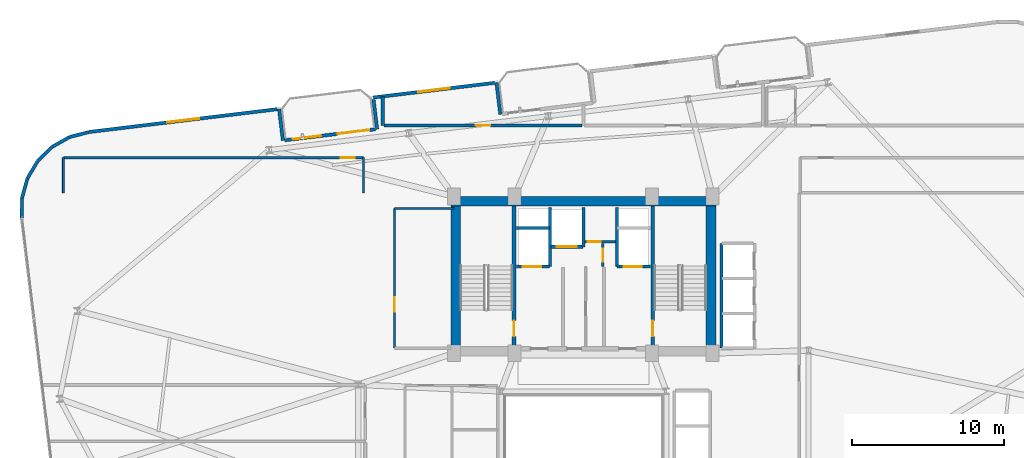
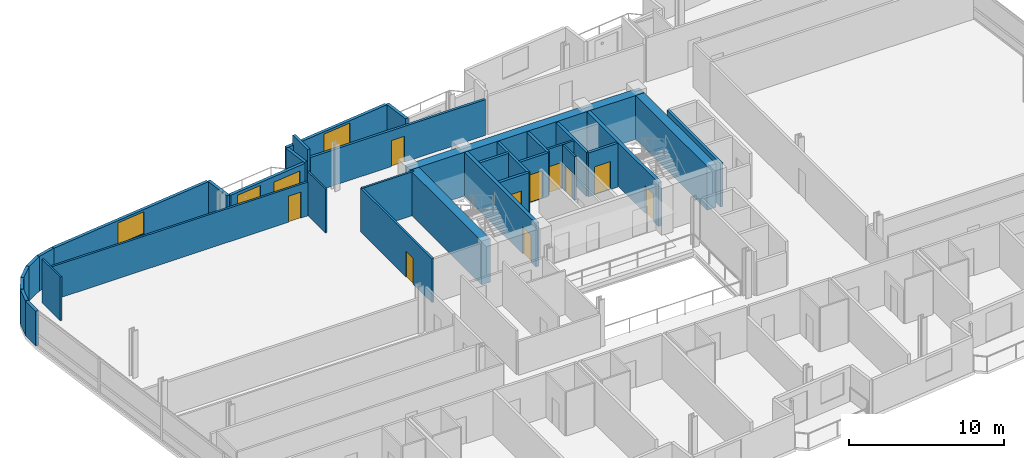
# One storey, part 17 of 23: 34 walls, 11 doors, 3 windows, 14 openings.
"""IFC4 building model written with IfcOpenShell, lengths in metres."""

import ifcopenshell
import ifcopenshell.guid

model = None  # the IFC model being written
_history = None  # IfcOwnerHistory: only IFC2X3 demands one
_inside = {}  # id of a spatial element -> (the spatial element, [elements in it])
_under = {}  # id of a project, library or spatial element -> (it, [spatial elements below it])
_declared = {}  # id of a project -> (the project, [libraries it declares])
_typed = {}  # id of a type object -> (the type object, [elements of that type])
_made_of = {}  # id of a material, layer set ... -> (it, [elements and type objects made of it])


def new_model(schema):
    """Start an empty IFC model of exactly this schema.

    Asked for "IFC4X3", IfcOpenShell would pick the latest addendum, in which some entities
    have other attributes; the version numbers below select the first issue.
    IFC2X3 requires an IfcOwnerHistory on every rooted entity: one is made here for all.
    """
    global model, _history
    if schema == "IFC4X3":
        model = ifcopenshell.file(schema_version=(4, 3, 0, 0))
    else:
        model = ifcopenshell.file(schema=schema)
    _inside.clear()
    _under.clear()
    _declared.clear()
    _typed.clear()
    _made_of.clear()
    _history = None
    if model.schema == "IFC2X3":
        org = make("IfcOrganization", Name="unknown")
        user = make(
            "IfcPersonAndOrganization",
            ThePerson=make("IfcPerson", FamilyName="unknown"),
            TheOrganization=org,
        )
        app = make(
            "IfcApplication",
            ApplicationDeveloper=org,
            Version="unknown",
            ApplicationFullName="unknown",
            ApplicationIdentifier="unknown",
        )
        _history = make(
            "IfcOwnerHistory",
            OwningUser=user,
            OwningApplication=app,
            ChangeAction="ADDED",
            CreationDate=0,
        )
    return model


def make(cls, **values):
    """One entity of the class cls with the attributes given. An attribute that is None is left unset."""
    return model.create_entity(
        cls, **{name: value for name, value in values.items() if value is not None}
    )


def rooted(cls, **values):
    """An entity with a GlobalId (a new one), such as an element, a storey or a relation."""
    return make(cls, GlobalId=ifcopenshell.guid.new(), OwnerHistory=_history, **values)


def si_unit(unit_type, name, prefix=None):
    """IfcSIUnit, for example si_unit("LENGTHUNIT", "METRE", prefix="MILLI")."""
    return make("IfcSIUnit", UnitType=unit_type, Prefix=prefix, Name=name)


def assignment(units):
    """IfcUnitAssignment: the units of a project."""
    return None if units is None else make("IfcUnitAssignment", Units=units)


def point(xyz):
    """IfcCartesianPoint."""
    return None if xyz is None else make("IfcCartesianPoint", Coordinates=xyz)


def direction(xyz):
    """IfcDirection."""
    return None if xyz is None else make("IfcDirection", DirectionRatios=xyz)


def frame(location, z_axis=None, x_axis=None):
    """IfcAxis2Placement3D, a coordinate frame: its origin and axes. An axis left out is left unset."""
    return make(
        "IfcAxis2Placement3D",
        Location=point(location),
        Axis=direction(z_axis),
        RefDirection=direction(x_axis),
    )


def frame_2d(location, x_axis=None):
    """IfcAxis2Placement2D, a coordinate frame in the plane: its origin and x axis."""
    return make(
        "IfcAxis2Placement2D", Location=point(location), RefDirection=direction(x_axis)
    )


def origin():
    """The frame at (0, 0, 0) with its axes left unset."""
    return frame((0.0, 0.0, 0.0))


def place(relative_to, where):
    """IfcLocalPlacement: puts the frame where relative to a parent placement (None: the world)."""
    return make(
        "IfcLocalPlacement", PlacementRelTo=relative_to, RelativePlacement=where
    )


def context(
    kind, dimensions, precision=None, world=None, true_north=None, identifier=None
):
    """IfcGeometricRepresentationContext, for example the 3D "Model" context."""
    return make(
        "IfcGeometricRepresentationContext",
        ContextIdentifier=identifier,
        ContextType=kind,
        CoordinateSpaceDimension=dimensions,
        Precision=precision,
        WorldCoordinateSystem=world,
        TrueNorth=true_north,
    )


def subcontext(parent, identifier, kind, view, scale=None):
    """IfcGeometricRepresentationSubContext, for example "Body" below "Model"."""
    return make(
        "IfcGeometricRepresentationSubContext",
        ContextIdentifier=identifier,
        ContextType=kind,
        ParentContext=parent,
        TargetScale=scale,
        TargetView=view,
    )


def project(units=None, contexts=None):
    """IfcProject with its units and contexts."""
    return rooted(
        "IfcProject",
        Name="project",
        RepresentationContexts=contexts,
        UnitsInContext=assignment(units),
    )


def spatial(cls, under=None, at=None, **own):
    """A site, building, storey or space (cls), placed at a placement, below another one or the project."""
    s = rooted(cls, ObjectPlacement=at, **own)
    if under is not None:
        _under.setdefault(under.id(), (under, []))[1].append(s)
    return s


def profile(cls, at=None, kind="AREA", **sizes):
    """A parametric profile (cls). Its sizes go by their IFC names, for example OverallWidth=200.0."""
    return make(cls, ProfileType=kind, Position=at, **sizes)


def rectangle(**sizes):
    """IfcRectangleProfileDef."""
    return profile("IfcRectangleProfileDef", **sizes)


def extrude(swept, where, along, depth):
    """IfcExtrudedAreaSolid: the profile swept, set in the frame where, extruded along a direction by depth."""
    return make(
        "IfcExtrudedAreaSolid",
        SweptArea=swept,
        Position=where,
        ExtrudedDirection=direction(along),
        Depth=depth,
    )


def shape(context_of_items, identifier, shape_type, items):
    """IfcShapeRepresentation: the items that make up one representation, for example the "Body"."""
    return make(
        "IfcShapeRepresentation",
        ContextOfItems=context_of_items,
        RepresentationIdentifier=identifier,
        RepresentationType=shape_type,
        Items=items,
    )


def material(Name=None, Category=None):
    """IfcMaterial."""
    return make("IfcMaterial", Name=Name, Category=Category)


def layer(
    of_material, thickness, ventilated=None, Name=None, Category=None, Priority=None
):
    """IfcMaterialLayer: one layer of a wall or slab, of a material (None: an air gap)."""
    return make(
        "IfcMaterialLayer",
        Material=of_material,
        LayerThickness=thickness,
        IsVentilated=ventilated,
        Name=Name,
        Category=Category,
        Priority=Priority,
    )


def layer_set(layers, Name=None):
    """IfcMaterialLayerSet."""
    return make("IfcMaterialLayerSet", MaterialLayers=layers, LayerSetName=Name)


def made_of(thing, what):
    """Note that an element or type object is made of a material, layer set ...; save() writes the relation."""
    if what is not None:
        _made_of.setdefault(what.id(), (what, []))[1].append(thing)
    return thing


def type_object(cls, material=None, **own):
    """A type object (cls), such as IfcWallType, which elements share."""
    return made_of(rooted(cls, **own), material)


def element(
    cls,
    number,
    at=None,
    inside=None,
    cuts=None,
    type_object=None,
    material=None,
    context=None,
    identifier="Body",
    shape_type=None,
    held_by="IfcProductDefinitionShape",
    body=None,
    shapes=None,
    **own,
):
    """One element of the class cls, such as IfcWall. Its Tag is "e" and its number.

    at: its placement. inside: the storey or other place that contains it. cuts: it is an
    opening in that element (IfcRelVoidsElement). A single representation is given by context,
    identifier, shape_type and body (its items); several are given by shapes. held_by: the class
    of the entity that holds the representations. save() writes the other relations.
    """
    e = rooted(cls, Tag="e%d" % number, ObjectPlacement=at, **own)
    if body is not None:
        shapes = [shape(context, identifier, shape_type, body)]
    if shapes is not None:
        e.Representation = make(held_by, Representations=shapes)
    if inside is not None:
        _inside.setdefault(inside.id(), (inside, []))[1].append(e)
    if cuts is not None:
        rooted(
            "IfcRelVoidsElement", RelatingBuildingElement=cuts, RelatedOpeningElement=e
        )
    if type_object is not None:
        _typed.setdefault(type_object.id(), (type_object, []))[1].append(e)
    return made_of(e, material)


def fill(opening, filler):
    """IfcRelFillsElement: the door or window that sits in an opening."""
    return rooted(
        "IfcRelFillsElement",
        RelatingOpeningElement=opening,
        RelatedBuildingElement=filler,
    )


def aggregate(whole, parts):
    """IfcRelAggregates: a whole, such as a stair, and the parts it consists of."""
    return rooted("IfcRelAggregates", RelatingObject=whole, RelatedObjects=parts)


def save(model, path):
    """Write the relations noted so far, then the file.

    IfcRelAggregates (storeys below a building ...), IfcRelContainedInSpatialStructure (elements
    in a storey), IfcRelDefinesByType, IfcRelAssociatesMaterial and IfcRelDeclares: one each for
    every whole, place, type object, material and project.
    """
    for whole, parts in _under.values():
        aggregate(whole, parts)
    for where, things in _inside.values():
        rooted(
            "IfcRelContainedInSpatialStructure",
            RelatedElements=things,
            RelatingStructure=where,
        )
    for kind, things in _typed.values():
        rooted("IfcRelDefinesByType", RelatedObjects=things, RelatingType=kind)
    for what, things in _made_of.values():
        rooted("IfcRelAssociatesMaterial", RelatedObjects=things, RelatingMaterial=what)
    for by, libraries in _declared.values():
        rooted("IfcRelDeclares", RelatingContext=by, RelatedDefinitions=libraries)
    model.write(path)


model = new_model("IFC4")

# Units and contexts
model_context = context("Model", 3, precision=1e-05, world=origin(), true_north=direction((0.0, 1.0)))
body_context = subcontext(model_context, "Body", "Model", "MODEL_VIEW")
ifc_project = project(units=[si_unit("LENGTHUNIT", "METRE"), si_unit("AREAUNIT", "SQUARE_METRE"), si_unit("VOLUMEUNIT", "CUBIC_METRE"), si_unit("PLANEANGLEUNIT", "RADIAN"), si_unit("MASSUNIT", "GRAM", prefix="KILO")], contexts=[model_context])

# Site, building, storey
site_placement = place(None, origin())
site = spatial("IfcSite", under=ifc_project, at=site_placement, CompositionType="ELEMENT")
building_placement = place(site_placement, origin())
building = spatial("IfcBuilding", under=site, at=building_placement, Name="Varnelok Gate Tower", CompositionType="ELEMENT")
storey_placement = place(building_placement, frame((0.0, 0.0, 200.5)))
storey = spatial("IfcBuildingStorey", under=building, at=storey_placement, Name="L51", CompositionType="ELEMENT", Elevation=200.5)

# Wall, openings, door, window
ifc_material_1 = material(Name="Concrete C45/55", Category="concrete")
ifc_layer_1 = layer(ifc_material_1, 0.219970703125)
ifc_layer_set_1 = layer_set([ifc_layer_1], Name="Concrete C45/55")
wall_type_1 = type_object("IfcWallType", Name="EW-BALC-220", PredefinedType="SOLIDWALL", material=ifc_layer_set_1)
wall_1_placement = place(storey_placement, frame((19.556884765625, 42.7529296875, 0.0), z_axis=(0.0, 0.0, 1.0), x_axis=(0.992729951822, 0.120362962556, 0.0)))
wall_1 = element("IfcWall", 1, at=wall_1_placement, inside=storey, type_object=wall_type_1, Name="L51 North Terrace Envelope Wall 4", PredefinedType="SOLIDWALL", context=body_context, shape_type="SweptSolid", body=[
    extrude(rectangle(XDim=6.0, YDim=0.219970703125, at=frame_2d((3.0, 0.0))), origin(), (0.0, 0.0, 1.0), 2.72998046875),
])
opening_1_placement = place(wall_1_placement, frame((3.5, 0.0, 0.0)))
opening_1 = element("IfcOpeningElement", 2, at=opening_1_placement, cuts=wall_1, Name="Opening BD-2", PredefinedType="OPENING", context=body_context, shape_type="SweptSolid", body=[
    extrude(rectangle(XDim=2.10009765625, YDim=2.300048828125, at=frame_2d((1.050048828125, 1.14990234375))), frame((0.0, 0.119873046875, 0.0), z_axis=(0.0, -1.0, 0.0), x_axis=(1.0, 0.0, 0.0)), (0.0, 0.0, 1.0), 0.239990234375),
])
opening_2_placement = place(wall_1_placement, frame((0.550048828125, 0.0, 0.75)))
opening_2 = element("IfcOpeningElement", 3, at=opening_2_placement, cuts=wall_1, Name="Opening WN5", PredefinedType="OPENING", context=body_context, shape_type="SweptSolid", body=[
    extrude(rectangle(XDim=1.85009765625, YDim=1.75, at=frame_2d((0.925048828125, 0.875))), frame((0.0, 0.119873046875, 0.0), z_axis=(0.0, -1.0, 0.0), x_axis=(1.0, 0.0, 0.0)), (0.0, 0.0, 1.0), 0.239990234375),
])
ifc_material_2 = material(Name="Anodized Aluminum Alloy 6063-T6", Category="aluminium")
door_type_1 = type_object("IfcDoorType", Name="DR-EXT-SLID2100", OperationType="SLIDING_TO_LEFT", PredefinedType="DOOR", material=ifc_material_2)
door_1_placement = place(opening_1_placement, origin())
door_1 = element("IfcDoor", 4, at=door_1_placement, inside=storey, type_object=door_type_1, Name="L51 North Balcony Glazed Door 4", OperationType="SLIDING_TO_LEFT", OverallHeight=2.300048828125, OverallWidth=2.10009765625, PredefinedType="DOOR", context=body_context, shape_type="SweptSolid", body=[
    extrude(rectangle(XDim=2.10009765625, YDim=2.300048828125, at=frame_2d((1.050048828125, 1.14990234375))), frame((0.0, 0.02490234375, 0.0), z_axis=(0.0, -1.0, 0.0), x_axis=(1.0, 0.0, 0.0)), (0.0, 0.0, 1.0), 0.050048828125),
])
fill(opening_1, door_1)
ifc_material_3 = material(Name="Low-E Laminated Double Glazing IGU", Category="glass")
window_type_1 = type_object("IfcWindowType", Name="WN-RES-1850", PartitioningType="SINGLE_PANEL", PredefinedType="WINDOW", material=ifc_material_3)
window_1_placement = place(opening_2_placement, origin())
window_1 = element("IfcWindow", 5, at=window_1_placement, inside=storey, type_object=window_type_1, Name="L51 North Vision Window 4.1", OverallHeight=1.75, OverallWidth=1.85009765625, PartitioningType="SINGLE_PANEL", PredefinedType="WINDOW", context=body_context, shape_type="SweptSolid", body=[
    extrude(rectangle(XDim=1.85009765625, YDim=1.75, at=frame_2d((0.925048828125, 0.875))), frame((0.0, 0.030029296875, 0.0), z_axis=(0.0, -1.0, 0.0), x_axis=(1.0, 0.0, 0.0)), (0.0, 0.0, 1.0), 0.06005859375),
])
fill(opening_2, window_1)

# Wall
wall_2_placement = place(storey_placement, frame((33.734375, 44.46142578125, 0.0), z_axis=(0.0, 0.0, 1.0), x_axis=(-0.120327895535, 0.992734202874, 0.0)))
element("IfcWall", 6, at=wall_2_placement, inside=storey, type_object=wall_type_1, Name="L51 Perimeter Facade Closure Wall 34", PredefinedType="SOLIDWALL", context=body_context, shape_type="SweptSolid", body=[
    extrude(rectangle(XDim=2.099853515625, YDim=0.219970703125, at=frame_2d((1.0498046875, 0.0))), origin(), (0.0, 0.0, 1.0), 2.72998046875),
])

# Wall, opening, window
wall_3_placement = place(storey_placement, frame((33.357421875, 46.53125, 0.0), z_axis=(0.0, 0.0, 1.0), x_axis=(-0.992731032022, -0.120354052946, 0.0)))
wall_3 = element("IfcWall", 7, at=wall_3_placement, inside=storey, type_object=wall_type_1, Name="L51 Perimeter Facade Closure Wall 35", PredefinedType="SOLIDWALL", context=body_context, shape_type="SweptSolid", body=[
    extrude(rectangle(XDim=8.034912109375, YDim=0.219970703125, at=frame_2d((4.017578125, 0.0))), origin(), (0.0, 0.0, 1.0), 2.72998046875),
])
opening_3_placement = place(wall_3_placement, frame((2.967529296875, 0.0, 0.800048828125)))
opening_3 = element("IfcOpeningElement", 8, at=opening_3_placement, cuts=wall_3, Name="Opening WN4", PredefinedType="OPENING", context=body_context, shape_type="SweptSolid", body=[
    extrude(rectangle(XDim=2.10009765625, YDim=1.75, at=frame_2d((1.050048828125, 0.875))), frame((0.0, 0.119873046875, 0.0), z_axis=(0.0, -1.0, 0.0), x_axis=(1.0, 0.0, 0.0)), (0.0, 0.0, 1.0), 0.239990234375),
])
window_type_2 = type_object("IfcWindowType", Name="WN-SUI-2100", PartitioningType="SINGLE_PANEL", PredefinedType="WINDOW", material=ifc_material_3)
window_2_placement = place(opening_3_placement, origin())
window_2 = element("IfcWindow", 9, at=window_2_placement, inside=storey, type_object=window_type_2, Name="L51 Perimeter Vision Window 35", OverallHeight=1.75, OverallWidth=2.10009765625, PartitioningType="SINGLE_PANEL", PredefinedType="WINDOW", context=body_context, shape_type="SweptSolid", body=[
    extrude(rectangle(XDim=2.10009765625, YDim=1.75, at=frame_2d((1.050048828125, 0.875))), frame((0.0, 0.030029296875, 0.0), z_axis=(0.0, -1.0, 0.0), x_axis=(1.0, 0.0, 0.0)), (0.0, 0.0, 1.0), 0.06005859375),
])
fill(opening_3, window_2)

# Walls
wall_4_placement = place(storey_placement, frame((25.39599609375, 45.440185546875, 0.0), z_axis=(0.0, 0.0, 1.0), x_axis=(0.120275992932, -0.992740492538, 0.0)))
element("IfcWall", 10, at=wall_4_placement, inside=storey, type_object=wall_type_1, Name="L51 Perimeter Facade Closure Wall 36", PredefinedType="SOLIDWALL", context=body_context, shape_type="SweptSolid", body=[
    extrude(rectangle(XDim=1.97509765625, YDim=0.219970703125, at=frame_2d((0.987548828125, 0.0))), origin(), (0.0, 0.0, 1.0), 2.72998046875),
])
wall_5_placement = place(storey_placement, frame((19.43896484375, 42.728515625, 0.0), z_axis=(0.0, 0.0, 1.0), x_axis=(-0.120327895535, 0.992734202874, 0.0)))
element("IfcWall", 11, at=wall_5_placement, inside=storey, type_object=wall_type_1, Name="L51 Perimeter Facade Closure Wall 37", PredefinedType="SOLIDWALL", context=body_context, shape_type="SweptSolid", body=[
    extrude(rectangle(XDim=2.099853515625, YDim=0.219970703125, at=frame_2d((1.0498046875, 0.0))), origin(), (0.0, 0.0, 1.0), 2.72998046875),
])

# Wall, opening, window
wall_6_placement = place(storey_placement, frame((19.06201171875, 44.798095703125, 0.0), z_axis=(0.0, 0.0, 1.0), x_axis=(-0.992733569027, -0.120333124809, 0.0)))
wall_6 = element("IfcWall", 12, at=wall_6_placement, inside=storey, type_object=wall_type_1, Name="L51 Perimeter Facade Closure Wall 38", PredefinedType="SOLIDWALL", context=body_context, shape_type="SweptSolid", body=[
    extrude(rectangle(XDim=12.447021484375, YDim=0.219970703125, at=frame_2d((6.2236328125, 0.0))), origin(), (0.0, 0.0, 1.0), 2.72998046875),
])
opening_4_placement = place(wall_6_placement, frame((5.173583984375, 0.0, 0.800048828125)))
opening_4 = element("IfcOpeningElement", 13, at=opening_4_placement, cuts=wall_6, Name="Opening WN4", PredefinedType="OPENING", context=body_context, shape_type="SweptSolid", body=[
    extrude(rectangle(XDim=2.10009765625, YDim=1.75, at=frame_2d((1.050048828125, 0.875))), frame((0.0, 0.119873046875, 0.0), z_axis=(0.0, -1.0, 0.0), x_axis=(1.0, 0.0, 0.0)), (0.0, 0.0, 1.0), 0.239990234375),
])
window_3_placement = place(opening_4_placement, origin())
window_3 = element("IfcWindow", 14, at=window_3_placement, inside=storey, type_object=window_type_2, Name="L51 Perimeter Vision Window 38", OverallHeight=1.75, OverallWidth=2.10009765625, PartitioningType="SINGLE_PANEL", PredefinedType="WINDOW", context=body_context, shape_type="SweptSolid", body=[
    extrude(rectangle(XDim=2.10009765625, YDim=1.75, at=frame_2d((1.050048828125, 0.875))), frame((0.0, 0.030029296875, 0.0), z_axis=(0.0, -1.0, 0.0), x_axis=(1.0, 0.0, 0.0)), (0.0, 0.0, 1.0), 0.06005859375),
])
fill(opening_4, window_3)

# Walls
wall_7_placement = place(storey_placement, frame((6.68115234375, 43.294189453125, 0.0), z_axis=(0.0, 0.0, 1.0), x_axis=(-0.968496788899, -0.2490260426, 0.0)))
element("IfcWall", 15, at=wall_7_placement, inside=storey, type_object=wall_type_1, Name="L51 Perimeter Facade Closure Wall 39", PredefinedType="SOLIDWALL", context=body_context, shape_type="SweptSolid", body=[
    extrude(rectangle(XDim=1.308837890625, YDim=0.219970703125, at=frame_2d((0.654296875, 0.0))), origin(), (0.0, 0.0, 1.0), 2.72998046875),
])
for number, where, z_axis, x_axis, name in (
    (16, (5.391845703125, 42.9560546875, 0.0), (0.0, 0.0, 1.0), (-0.87105877335, -0.491178799797, 0.0), "L51 Perimeter Facade Closure Wall 40"),
    (17, (4.24072265625, 42.299560546875, 0.0), (0.0, 0.0, 1.0), (-0.714389219205, -0.699748557329, 0.0), "L51 Perimeter Facade Closure Wall 41"),
):
    element("IfcWall", number, at=place(storey_placement, frame(where, z_axis=z_axis, x_axis=x_axis)), inside=storey, type_object=wall_type_1, Name=name, PredefinedType="SOLIDWALL", context=body_context, shape_type="SweptSolid", body=[
        extrude(rectangle(XDim=1.30078125, YDim=0.219970703125, at=frame_2d((0.650390625, 0.0))), origin(), (0.0, 0.0, 1.0), 2.72998046875),
    ])
wall_8_placement = place(storey_placement, frame((3.298583984375, 41.367919921875, 0.0), z_axis=(0.0, 0.0, 1.0), x_axis=(-0.508716668029, -0.860933999601, 0.0)))
element("IfcWall", 18, at=wall_8_placement, inside=storey, type_object=wall_type_1, Name="L51 Perimeter Facade Closure Wall 42", PredefinedType="SOLIDWALL", context=body_context, shape_type="SweptSolid", body=[
    extrude(rectangle(XDim=1.301025390625, YDim=0.219970703125, at=frame_2d((0.650390625, 0.0))), origin(), (0.0, 0.0, 1.0), 2.72998046875),
])
for number, where, z_axis, x_axis, name in (
    (19, (2.630126953125, 40.223876953125, 0.0), (0.0, 0.0, 1.0), (-0.26876657226, -0.963205341366, 0.0), "L51 Perimeter Facade Closure Wall 43"),
    (20, (2.2802734375, 38.94580078125, 0.0), (0.0, 0.0, 1.0), (-0.01013461463, -0.999948643474, 0.0), "L51 Perimeter Facade Closure Wall 44"),
):
    element("IfcWall", number, at=place(storey_placement, frame(where, z_axis=z_axis, x_axis=x_axis)), inside=storey, type_object=wall_type_1, Name=name, PredefinedType="SOLIDWALL", context=body_context, shape_type="SweptSolid", body=[
        extrude(rectangle(XDim=1.30078125, YDim=0.219970703125, at=frame_2d((0.650390625, 0.0))), origin(), (0.0, 0.0, 1.0), 2.72998046875),
    ])

# Wall, opening, door
ifc_material_4 = material(Name="Gypsum Plasterboard Acoustic Partition", Category="gypsum")
ifc_layer_2 = layer(ifc_material_4, 0.179931640625)
ifc_layer_set_2 = layer_set([ifc_layer_2], Name="Gypsum Plasterboard Acoustic Partition")
wall_type_2 = type_object("IfcWallType", Name="PW-CORR-180", PredefinedType="PARTITIONING", material=ifc_layer_set_2)
wall_9_placement = place(storey_placement, frame((26.080078125, 43.72998046875, 0.0), z_axis=(0.0, 0.0, 1.0), x_axis=(1.0, 0.0, 0.0)))
wall_9 = element("IfcWall", 21, at=wall_9_placement, inside=storey, type_object=wall_type_2, Name="Interior Partition", PredefinedType="PARTITIONING", context=body_context, shape_type="SweptSolid", body=[
    extrude(rectangle(XDim=13.0400390625, YDim=0.179931640625, at=frame_2d((6.52001953125, 0.0))), origin(), (0.0, 0.0, 1.0), 2.823974609375),
])
opening_5_placement = place(wall_9_placement, frame((6.044921875, 0.0, 0.0)))
opening_5 = element("IfcOpeningElement", 22, at=opening_5_placement, cuts=wall_9, Name="Opening D-I2", PredefinedType="OPENING", context=body_context, shape_type="SweptSolid", body=[
    extrude(rectangle(XDim=0.949951171875, YDim=2.050048828125, at=frame_2d((0.47509765625, 1.02490234375))), frame((0.0, 0.099853515625, 0.0), z_axis=(0.0, -1.0, 0.0), x_axis=(1.0, 0.0, 0.0)), (0.0, 0.0, 1.0), 0.199951171875),
])
ifc_material_5 = material(Name="Engineered Hardwood Timber", Category="wood")
door_type_2 = type_object("IfcDoorType", Name="DR-INT-950", OperationType="NOTDEFINED", PredefinedType="DOOR", material=ifc_material_5)
door_2_placement = place(opening_5_placement, origin())
door_2 = element("IfcDoor", 23, at=door_2_placement, inside=storey, type_object=door_type_2, Name="L51 Hotel Fitness Studio Door", OperationType="SINGLE_SWING_LEFT", OverallHeight=2.050048828125, OverallWidth=0.949951171875, PredefinedType="DOOR", context=body_context, shape_type="SweptSolid", body=[
    extrude(rectangle(XDim=0.949951171875, YDim=2.050048828125, at=frame_2d((0.47509765625, 1.02490234375))), frame((0.0, 0.02490234375, 0.0), z_axis=(0.0, -1.0, 0.0), x_axis=(1.0, 0.0, 0.0)), (0.0, 0.0, 1.0), 0.050048828125),
])
fill(opening_5, door_2)

# Walls
ifc_layer_3 = layer(ifc_material_4, 0.125)
ifc_layer_set_3 = layer_set([ifc_layer_3], Name="Gypsum Plasterboard Acoustic Partition")
wall_type_3 = type_object("IfcWallType", Name="PW-PART-125", PredefinedType="PARTITIONING", material=ifc_layer_set_3)
for number, where, z_axis, x_axis, name in (
    (24, (5.0, 39.300048828125, 0.0), (0.0, 0.0, 1.0), (0.0, 1.0, 0.0), "Interior Partition"),
    (25, (24.739990234375, 39.300048828125, 0.0), (0.0, 0.0, 1.0), (0.0, 1.0, 0.0), "Interior Partition"),
):
    element("IfcWall", number, at=place(storey_placement, frame(where, z_axis=z_axis, x_axis=x_axis)), inside=storey, type_object=wall_type_3, Name=name, PredefinedType="PARTITIONING", context=body_context, shape_type="SweptSolid", body=[
        extrude(rectangle(XDim=2.31005859375, YDim=0.125, at=frame_2d((1.155029296875, 0.0))), origin(), (0.0, 0.0, 1.0), 3.449951171875),
    ])

# Wall, opening, door
ifc_layer_4 = layer(ifc_material_4, 0.14990234375)
ifc_layer_set_4 = layer_set([ifc_layer_4], Name="Gypsum Plasterboard Acoustic Partition")
wall_type_4 = type_object("IfcWallType", Name="PW-PART-150", PredefinedType="PARTITIONING", material=ifc_layer_set_4)
wall_10_placement = place(storey_placement, frame((5.0, 41.610107421875, 0.0), z_axis=(0.0, 0.0, 1.0), x_axis=(1.0, 0.0, 0.0)))
wall_10 = element("IfcWall", 26, at=wall_10_placement, inside=storey, type_object=wall_type_4, Name="Interior Partition", PredefinedType="PARTITIONING", context=body_context, shape_type="SweptSolid", body=[
    extrude(rectangle(XDim=19.739990234375, YDim=0.14990234375, at=frame_2d((9.8701171875, 0.0))), origin(), (0.0, 0.0, 1.0), 2.662109375),
])
opening_6_placement = place(wall_10_placement, frame((18.233642578125, 0.0, 0.0)))
opening_6 = element("IfcOpeningElement", 27, at=opening_6_placement, cuts=wall_10, Name="Opening D-I3", PredefinedType="OPENING", context=body_context, shape_type="SweptSolid", body=[
    extrude(rectangle(XDim=0.919921875, YDim=2.050048828125, at=frame_2d((0.4599609375, 1.02490234375))), frame((0.0, 0.0849609375, 0.0), z_axis=(0.0, -1.0, 0.0), x_axis=(1.0, 0.0, 0.0)), (0.0, 0.0, 1.0), 0.169921875),
])
door_type_3 = type_object("IfcDoorType", Name="DR-INT-920", OperationType="NOTDEFINED", PredefinedType="DOOR", material=ifc_material_5)
door_3_placement = place(opening_6_placement, origin())
door_3 = element("IfcDoor", 28, at=door_3_placement, inside=storey, type_object=door_type_3, Name="L51 North Study 1 Door", OperationType="SINGLE_SWING_RIGHT", OverallHeight=2.050048828125, OverallWidth=0.919921875, PredefinedType="DOOR", context=body_context, shape_type="SweptSolid", body=[
    extrude(rectangle(XDim=0.919921875, YDim=2.050048828125, at=frame_2d((0.4599609375, 1.02490234375))), frame((0.0, 0.02490234375, 0.0), z_axis=(0.0, -1.0, 0.0), x_axis=(1.0, 0.0, 0.0)), (0.0, 0.0, 1.0), 0.050048828125),
])
fill(opening_6, door_3)

wall_11_placement = place(storey_placement, frame((39.300048828125, 36.080078125, 0.0), z_axis=(0.0, 0.0, 1.0), x_axis=(1.0, 0.0, 0.0)))
wall_11 = element("IfcWall", 29, at=wall_11_placement, inside=storey, type_object=wall_type_4, Name="L51 Electrical Closet South Wall", PredefinedType="PARTITIONING", context=body_context, shape_type="SweptSolid", body=[
    extrude(rectangle(XDim=2.02001953125, YDim=0.14990234375, at=frame_2d((1.010009765625, 0.0))), origin(), (0.0, 0.0, 1.0), 3.449951171875),
])
opening_7_placement = place(wall_11_placement, frame((0.179931640625, 0.0, 0.0)))
opening_7 = element("IfcOpeningElement", 30, at=opening_7_placement, cuts=wall_11, Name="Opening D-RS", PredefinedType="OPENING", context=body_context, shape_type="SweptSolid", body=[
    extrude(rectangle(XDim=0.85009765625, YDim=2.050048828125, at=frame_2d((0.425048828125, 1.02490234375))), frame((0.0, 0.0849609375, 0.0), z_axis=(0.0, -1.0, 0.0), x_axis=(1.0, 0.0, 0.0)), (0.0, 0.0, 1.0), 0.169921875),
])
ifc_material_6 = material(Name="Galvanized Steel Grade S350GD", Category="steel")
door_type_4 = type_object("IfcDoorType", Name="DR-RISER-850", OperationType="NOTDEFINED", PredefinedType="DOOR", material=ifc_material_6)
door_4_placement = place(opening_7_placement, origin())
door_4 = element("IfcDoor", 31, at=door_4_placement, inside=storey, type_object=door_type_4, Name="L51 Electrical Closet Door", OperationType="SINGLE_SWING_RIGHT", OverallHeight=2.050048828125, OverallWidth=0.85009765625, PredefinedType="DOOR", context=body_context, shape_type="SweptSolid", body=[
    extrude(rectangle(XDim=0.85009765625, YDim=2.050048828125, at=frame_2d((0.425048828125, 1.02490234375))), frame((0.0, 0.02490234375, 0.0), z_axis=(0.0, -1.0, 0.0), x_axis=(1.0, 0.0, 0.0)), (0.0, 0.0, 1.0), 0.050048828125),
])
fill(opening_7, door_4)

wall_12_placement = place(storey_placement, frame((40.47998046875, 34.43994140625, 0.0), z_axis=(0.0, 0.0, 1.0), x_axis=(0.0, 1.0, 0.0)))
wall_12 = element("IfcWall", 32, at=wall_12_placement, inside=storey, type_object=wall_type_4, Name="L51 Telecoms Closet West Wall", PredefinedType="PARTITIONING", context=body_context, shape_type="SweptSolid", body=[
    extrude(rectangle(XDim=1.52001953125, YDim=0.14990234375, at=frame_2d((0.760009765625, 0.0))), origin(), (0.0, 0.0, 1.0), 3.449951171875),
])
opening_8_placement = place(wall_12_placement, frame((0.320068359375, 0.0, 0.0)))
opening_8 = element("IfcOpeningElement", 33, at=opening_8_placement, cuts=wall_12, Name="Opening D-RS", PredefinedType="OPENING", context=body_context, shape_type="SweptSolid", body=[
    extrude(rectangle(XDim=0.85009765625, YDim=2.050048828125, at=frame_2d((0.425048828125, 1.02490234375))), frame((0.0, 0.0849609375, 0.0), z_axis=(0.0, -1.0, 0.0), x_axis=(1.0, 0.0, 0.0)), (0.0, 0.0, 1.0), 0.169921875),
])
door_5_placement = place(opening_8_placement, origin())
door_5 = element("IfcDoor", 34, at=door_5_placement, inside=storey, type_object=door_type_4, Name="L51 Telecoms Closet Door", OperationType="SINGLE_SWING_LEFT", OverallHeight=2.050048828125, OverallWidth=0.85009765625, PredefinedType="DOOR", context=body_context, shape_type="SweptSolid", body=[
    extrude(rectangle(XDim=0.85009765625, YDim=2.050048828125, at=frame_2d((0.425048828125, 1.02490234375))), frame((0.0, 0.02490234375, 0.0), z_axis=(0.0, -1.0, 0.0), x_axis=(1.0, 0.0, 0.0)), (0.0, 0.0, 1.0), 0.050048828125),
])
fill(opening_8, door_5)

# Wall
wall_13_placement = place(storey_placement, frame((26.780029296875, 38.260009765625, 0.0), z_axis=(0.0, 0.0, 1.0), x_axis=(1.0, 0.0, 0.0)))
element("IfcWall", 35, at=wall_13_placement, inside=storey, type_object=wall_type_4, Name="Interior Partition", PredefinedType="PARTITIONING", context=body_context, shape_type="SweptSolid", body=[
    extrude(rectangle(XDim=3.89990234375, YDim=0.14990234375, at=frame_2d((1.949951171875, 0.0))), origin(), (0.0, 0.0, 1.0), 3.449951171875),
])

# Wall, opening, door
wall_14_placement = place(storey_placement, frame((26.780029296875, 29.080078125, 0.0), z_axis=(0.0, 0.0, 1.0), x_axis=(0.0, 1.0, 0.0)))
wall_14 = element("IfcWall", 36, at=wall_14_placement, inside=storey, type_object=wall_type_4, Name="Interior Partition", PredefinedType="PARTITIONING", context=body_context, shape_type="SweptSolid", body=[
    extrude(rectangle(XDim=9.179931640625, YDim=0.14990234375, at=frame_2d((4.58984375, 0.0))), origin(), (0.0, 0.0, 1.0), 3.449951171875),
])
opening_9_placement = place(wall_14_placement, frame((2.39990234375, 0.0, 0.0)))
opening_9 = element("IfcOpeningElement", 37, at=opening_9_placement, cuts=wall_14, Name="Opening D-I2", PredefinedType="OPENING", context=body_context, shape_type="SweptSolid", body=[
    extrude(rectangle(XDim=0.949951171875, YDim=2.050048828125, at=frame_2d((0.47509765625, 1.02490234375))), frame((0.0, 0.0849609375, 0.0), z_axis=(0.0, -1.0, 0.0), x_axis=(1.0, 0.0, 0.0)), (0.0, 0.0, 1.0), 0.169921875),
])
door_6_placement = place(opening_9_placement, origin())
door_6 = element("IfcDoor", 38, at=door_6_placement, inside=storey, type_object=door_type_2, Name="L51 Reclaimed Housekeeping Door", OperationType="SINGLE_SWING_RIGHT", OverallHeight=2.050048828125, OverallWidth=0.949951171875, PredefinedType="DOOR", context=body_context, shape_type="SweptSolid", body=[
    extrude(rectangle(XDim=0.949951171875, YDim=2.050048828125, at=frame_2d((0.47509765625, 1.02490234375))), frame((0.0, 0.02490234375, 0.0), z_axis=(0.0, -1.0, 0.0), x_axis=(1.0, 0.0, 0.0)), (0.0, 0.0, 1.0), 0.050048828125),
])
fill(opening_9, door_6)

# Wall
ifc_layer_5 = layer(ifc_material_4, 0.205078125)
ifc_layer_set_5 = layer_set([ifc_layer_5], Name="Gypsum Plasterboard Acoustic Partition")
wall_type_5 = type_object("IfcWallType", Name="PW-PARTY-200", PredefinedType="PARTITIONING", material=ifc_layer_set_5)
wall_15_placement = place(storey_placement, frame((26.0, 43.72998046875, 0.0), z_axis=(0.0, 0.0, 1.0), x_axis=(0.0, 1.0, 0.0)))
element("IfcWall", 39, at=wall_15_placement, inside=storey, type_object=wall_type_5, Name="L51 North Party Wall 1", PredefinedType="PARTITIONING", context=body_context, shape_type="SweptSolid", body=[
    extrude(rectangle(XDim=1.88916015625, YDim=0.205078125, at=frame_2d((0.944580078125, 0.0))), origin(), (0.0, 0.0, 1.0), 3.449951171875),
])

# Wall, opening, door
ifc_material_7 = material(Name="Concrete C35/45", Category="concrete")
ifc_layer_6 = layer(ifc_material_7, 0.199951171875)
ifc_layer_set_6 = layer_set([ifc_layer_6], Name="Concrete C35/45")
wall_type_6 = type_object("IfcWallType", Name="PW-SHAFT-200", PredefinedType="PARTITIONING", material=ifc_layer_set_6)
wall_16_placement = place(storey_placement, frame((34.800048828125, 34.43994140625, 0.0), z_axis=(0.0, 0.0, 1.0), x_axis=(1.0, 0.0, 0.0)))
wall_16 = element("IfcWall", 40, at=wall_16_placement, inside=storey, type_object=wall_type_6, Name="L51 FF1 Shaft Front Wall", PredefinedType="PARTITIONING", context=body_context, shape_type="SweptSolid", body=[
    extrude(rectangle(XDim=2.179931640625, YDim=0.199951171875, at=frame_2d((1.08984375, 0.0))), origin(), (0.0, 0.0, 1.0), 3.449951171875),
])
opening_10_placement = place(wall_16_placement, frame((0.419921875, 0.0, 0.0)))
opening_10 = element("IfcOpeningElement", 41, at=opening_10_placement, cuts=wall_16, Name="Opening LD-FF1", PredefinedType="OPENING", context=body_context, shape_type="SweptSolid", body=[
    extrude(rectangle(XDim=1.199951171875, YDim=2.199951171875, at=frame_2d((0.60009765625, 1.10009765625))), frame((0.0, 0.10986328125, 0.0), z_axis=(0.0, -1.0, 0.0), x_axis=(1.0, 0.0, 0.0)), (0.0, 0.0, 1.0), 0.219970703125),
])
door_type_5 = type_object("IfcDoorType", Name="DR-LIFT-FF1200", OperationType="SLIDING_TO_LEFT", PredefinedType="DOOR", material=ifc_material_6)
door_7_placement = place(opening_10_placement, origin())
door_7 = element("IfcDoor", 42, at=door_7_placement, inside=storey, type_object=door_type_5, Name="L51 Firefighting Lift Landing Door LD-FF1", OperationType="SLIDING_TO_LEFT", OverallHeight=2.199951171875, OverallWidth=1.199951171875, PredefinedType="DOOR", context=body_context, shape_type="SweptSolid", body=[
    extrude(rectangle(XDim=1.199951171875, YDim=2.199951171875, at=frame_2d((0.60009765625, 1.10009765625))), frame((0.0, 0.02490234375, 0.0), z_axis=(0.0, -1.0, 0.0), x_axis=(1.0, 0.0, 0.0)), (0.0, 0.0, 1.0), 0.050048828125),
])
fill(opening_10, door_7)

# Walls
wall_17_placement = place(storey_placement, frame((34.800048828125, 36.97998046875, 0.0), z_axis=(0.0, 0.0, 1.0), x_axis=(1.0, 0.0, 0.0)))
element("IfcWall", 43, at=wall_17_placement, inside=storey, type_object=wall_type_6, Name="L51 FF1 Shaft North Wall", PredefinedType="PARTITIONING", context=body_context, shape_type="SweptSolid", body=[
    extrude(rectangle(XDim=2.179931640625, YDim=0.199951171875, at=frame_2d((1.08984375, 0.0))), origin(), (0.0, 0.0, 1.0), 3.449951171875),
])
wall_18_placement = place(storey_placement, frame((37.0, 34.43994140625, 0.0), z_axis=(0.0, 0.0, 1.0), x_axis=(0.0, 1.0, 0.0)))
element("IfcWall", 44, at=wall_18_placement, inside=storey, type_object=wall_type_6, Name="L51 FF1 Shaft Side Wall", PredefinedType="PARTITIONING", context=body_context, shape_type="SweptSolid", body=[
    extrude(rectangle(XDim=3.900146484375, YDim=0.199951171875, at=frame_2d((1.9501953125, 0.0))), origin(), (0.0, 0.0, 1.0), 3.449951171875),
])

# Wall, opening, door
wall_19_placement = place(storey_placement, frame((41.419921875, 34.43994140625, 0.0), z_axis=(0.0, 0.0, 1.0), x_axis=(1.0, 0.0, 0.0)))
wall_19 = element("IfcWall", 45, at=wall_19_placement, inside=storey, type_object=wall_type_6, Name="L51 FF2 Shaft Front Wall", PredefinedType="PARTITIONING", context=body_context, shape_type="SweptSolid", body=[
    extrude(rectangle(XDim=2.18017578125, YDim=0.199951171875, at=frame_2d((1.090087890625, 0.0))), origin(), (0.0, 0.0, 1.0), 3.449951171875),
])
opening_11_placement = place(wall_19_placement, frame((0.419921875, 0.0, 0.0)))
opening_11 = element("IfcOpeningElement", 46, at=opening_11_placement, cuts=wall_19, Name="Opening LD-FF2", PredefinedType="OPENING", context=body_context, shape_type="SweptSolid", body=[
    extrude(rectangle(XDim=1.199951171875, YDim=2.199951171875, at=frame_2d((0.60009765625, 1.10009765625))), frame((0.0, 0.10986328125, 0.0), z_axis=(0.0, -1.0, 0.0), x_axis=(1.0, 0.0, 0.0)), (0.0, 0.0, 1.0), 0.219970703125),
])
door_8_placement = place(opening_11_placement, origin())
door_8 = element("IfcDoor", 47, at=door_8_placement, inside=storey, type_object=door_type_5, Name="L51 Firefighting Lift Landing Door LD-FF2", OperationType="SLIDING_TO_LEFT", OverallHeight=2.199951171875, OverallWidth=1.199951171875, PredefinedType="DOOR", context=body_context, shape_type="SweptSolid", body=[
    extrude(rectangle(XDim=1.199951171875, YDim=2.199951171875, at=frame_2d((0.60009765625, 1.10009765625))), frame((0.0, 0.02490234375, 0.0), z_axis=(0.0, -1.0, 0.0), x_axis=(1.0, 0.0, 0.0)), (0.0, 0.0, 1.0), 0.050048828125),
])
fill(opening_11, door_8)

# Wall
wall_20_placement = place(storey_placement, frame((41.39990234375, 34.43994140625, 0.0), z_axis=(0.0, 0.0, 1.0), x_axis=(0.0, 1.0, 0.0)))
element("IfcWall", 48, at=wall_20_placement, inside=storey, type_object=wall_type_6, Name="L51 FF2 Shaft Side Wall", PredefinedType="PARTITIONING", context=body_context, shape_type="SweptSolid", body=[
    extrude(rectangle(XDim=3.900146484375, YDim=0.199951171875, at=frame_2d((1.9501953125, 0.0))), origin(), (0.0, 0.0, 1.0), 3.449951171875),
])

# Wall, opening, door
wall_21_placement = place(storey_placement, frame((37.06005859375, 35.75, 0.0), z_axis=(0.0, 0.0, 1.0), x_axis=(1.0, 0.0, 0.0)))
wall_21 = element("IfcWall", 49, at=wall_21_placement, inside=storey, type_object=wall_type_6, Name="L51 SV1 Shaft Front Wall", PredefinedType="PARTITIONING", context=body_context, shape_type="SweptSolid", body=[
    extrude(rectangle(XDim=2.119873046875, YDim=0.199951171875, at=frame_2d((1.06005859375, 0.0))), origin(), (0.0, 0.0, 1.0), 3.449951171875),
])
opening_12_placement = place(wall_21_placement, frame((0.39990234375, 0.0, 0.0)))
opening_12 = element("IfcOpeningElement", 50, at=opening_12_placement, cuts=wall_21, Name="Opening LD-SV1", PredefinedType="OPENING", context=body_context, shape_type="SweptSolid", body=[
    extrude(rectangle(XDim=1.300048828125, YDim=2.199951171875, at=frame_2d((0.64990234375, 1.10009765625))), frame((0.0, 0.10986328125, 0.0), z_axis=(0.0, -1.0, 0.0), x_axis=(1.0, 0.0, 0.0)), (0.0, 0.0, 1.0), 0.219970703125),
])
door_type_6 = type_object("IfcDoorType", Name="DR-LIFT-SV1300", OperationType="SLIDING_TO_LEFT", PredefinedType="DOOR", material=ifc_material_6)
door_9_placement = place(opening_12_placement, origin())
door_9 = element("IfcDoor", 51, at=door_9_placement, inside=storey, type_object=door_type_6, Name="L51 Service Lift Landing Door LD-SV1", OperationType="SLIDING_TO_LEFT", OverallHeight=2.199951171875, OverallWidth=1.300048828125, PredefinedType="DOOR", context=body_context, shape_type="SweptSolid", body=[
    extrude(rectangle(XDim=1.300048828125, YDim=2.199951171875, at=frame_2d((0.64990234375, 1.10009765625))), frame((0.0, 0.02490234375, 0.0), z_axis=(0.0, -1.0, 0.0), x_axis=(1.0, 0.0, 0.0)), (0.0, 0.0, 1.0), 0.050048828125),
])
fill(opening_12, door_9)

# Walls
wall_22_placement = place(storey_placement, frame((39.219970703125, 35.75, 0.0), z_axis=(0.0, 0.0, 1.0), x_axis=(0.0, 1.0, 0.0)))
element("IfcWall", 52, at=wall_22_placement, inside=storey, type_object=wall_type_6, Name="L51 SV1 Shaft East Wall", PredefinedType="PARTITIONING", context=body_context, shape_type="SweptSolid", body=[
    extrude(rectangle(XDim=2.590087890625, YDim=0.199951171875, at=frame_2d((1.294921875, 0.0))), origin(), (0.0, 0.0, 1.0), 3.449951171875),
])
wall_23_placement = place(storey_placement, frame((48.280029296875, 29.080078125, 0.0), z_axis=(0.0, 0.0, 1.0), x_axis=(0.0, 1.0, 0.0)))
element("IfcWall", 53, at=wall_23_placement, inside=storey, type_object=wall_type_6, Name="L51 PM Bank Back Wall", PredefinedType="PARTITIONING", context=body_context, shape_type="SweptSolid", body=[
    extrude(rectangle(XDim=6.889892578125, YDim=0.199951171875, at=frame_2d((3.44482421875, 0.0))), origin(), (0.0, 0.0, 1.0), 3.449951171875),
])
ifc_material_8 = material(Name="Concrete C60/75", Category="concrete")
ifc_layer_7 = layer(ifc_material_8, 0.64990234375)
ifc_layer_set_7 = layer_set([ifc_layer_7], Name="Concrete C60/75")
wall_type_7 = type_object("IfcWallType", Name="SW-CORE-650", PredefinedType="SHEAR", material=ifc_layer_set_7)
wall_24_placement = place(storey_placement, frame((30.47998046875, 38.7451171875, 0.0), z_axis=(0.0, 0.0, 1.0), x_axis=(1.0, 0.0, 0.0)))
element("IfcWall", 54, at=wall_24_placement, inside=storey, type_object=wall_type_7, Name="L51 Rear Core North Shear Wall", PredefinedType="SHEAR", context=body_context, shape_type="SweptSolid", body=[
    extrude(rectangle(XDim=17.43994140625, YDim=0.64990234375, at=frame_2d((8.719970703125, 0.0))), origin(), (0.0, 0.0, 1.0), 3.449951171875),
])
for number, where, z_axis, x_axis, name in (
    (55, (30.804931640625, 29.199951171875, 0.0), (0.0, 0.0, 1.0), (0.0, 1.0, 0.0), "L51 Rear Core West Shear Wall"),
    (56, (47.594970703125, 29.199951171875, 0.0), (0.0, 0.0, 1.0), (0.0, 1.0, 0.0), "L51 Rear Core East Shear Wall"),
):
    element("IfcWall", number, at=place(storey_placement, frame(where, z_axis=z_axis, x_axis=x_axis)), inside=storey, type_object=wall_type_7, Name=name, PredefinedType="SHEAR", context=body_context, shape_type="SweptSolid", body=[
        extrude(rectangle(XDim=9.219970703125, YDim=0.64990234375, at=frame_2d((4.60986328125, 0.0))), origin(), (0.0, 0.0, 1.0), 3.449951171875),
    ])

# Wall, opening, door
ifc_layer_8 = layer(ifc_material_8, 0.25)
ifc_layer_set_8 = layer_set([ifc_layer_8], Name="Concrete C60/75")
wall_type_8 = type_object("IfcWallType", Name="SW-SHAFT-250", PredefinedType="SHEAR", material=ifc_layer_set_8)
wall_25_placement = place(storey_placement, frame((34.639892578125, 29.199951171875, 0.0), z_axis=(0.0, 0.0, 1.0), x_axis=(0.0, 1.0, 0.0)))
wall_25 = element("IfcWall", 57, at=wall_25_placement, inside=storey, type_object=wall_type_8, Name="L51 Stair ST-1 East Shear Wall", PredefinedType="SHEAR", context=body_context, shape_type="SweptSolid", body=[
    extrude(rectangle(XDim=9.219970703125, YDim=0.25, at=frame_2d((4.60986328125, 0.0))), origin(), (0.0, 0.0, 1.0), 3.449951171875),
])
opening_13_placement = place(wall_25_placement, frame((0.64990234375, 0.0, 0.0)))
opening_13 = element("IfcOpeningElement", 58, at=opening_13_placement, cuts=wall_25, Name="Opening D-ST", PredefinedType="OPENING", context=body_context, shape_type="SweptSolid", body=[
    extrude(rectangle(XDim=1.050048828125, YDim=2.14990234375, at=frame_2d((0.52490234375, 1.074951171875))), frame((0.0, 0.135009765625, 0.0), z_axis=(0.0, -1.0, 0.0), x_axis=(1.0, 0.0, 0.0)), (0.0, 0.0, 1.0), 0.27001953125),
])
door_type_7 = type_object("IfcDoorType", Name="DR-STAIR-1050", OperationType="NOTDEFINED", PredefinedType="DOOR", material=ifc_material_6)
door_10_placement = place(opening_13_placement, origin())
door_10 = element("IfcDoor", 59, at=door_10_placement, inside=storey, type_object=door_type_7, Name="L51 Exit Stair ST-1 Fire Door", OperationType="SINGLE_SWING_LEFT", OverallHeight=2.14990234375, OverallWidth=1.050048828125, PredefinedType="DOOR", context=body_context, shape_type="SweptSolid", body=[
    extrude(rectangle(XDim=1.050048828125, YDim=2.14990234375, at=frame_2d((0.52490234375, 1.074951171875))), frame((0.0, 0.02490234375, 0.0), z_axis=(0.0, -1.0, 0.0), x_axis=(1.0, 0.0, 0.0)), (0.0, 0.0, 1.0), 0.050048828125),
])
fill(opening_13, door_10)

wall_26_placement = place(storey_placement, frame((43.760009765625, 29.199951171875, 0.0), z_axis=(0.0, 0.0, 1.0), x_axis=(0.0, 1.0, 0.0)))
wall_26 = element("IfcWall", 60, at=wall_26_placement, inside=storey, type_object=wall_type_8, Name="L51 Stair ST-2 West Shear Wall", PredefinedType="SHEAR", context=body_context, shape_type="SweptSolid", body=[
    extrude(rectangle(XDim=9.219970703125, YDim=0.25, at=frame_2d((4.60986328125, 0.0))), origin(), (0.0, 0.0, 1.0), 3.449951171875),
])
opening_14_placement = place(wall_26_placement, frame((0.64990234375, 0.0, 0.0)))
opening_14 = element("IfcOpeningElement", 61, at=opening_14_placement, cuts=wall_26, Name="Opening D-ST", PredefinedType="OPENING", context=body_context, shape_type="SweptSolid", body=[
    extrude(rectangle(XDim=1.050048828125, YDim=2.14990234375, at=frame_2d((0.52490234375, 1.074951171875))), frame((0.0, 0.135009765625, 0.0), z_axis=(0.0, -1.0, 0.0), x_axis=(1.0, 0.0, 0.0)), (0.0, 0.0, 1.0), 0.27001953125),
])
door_11_placement = place(opening_14_placement, origin())
door_11 = element("IfcDoor", 62, at=door_11_placement, inside=storey, type_object=door_type_7, Name="L51 Exit Stair ST-2 Fire Door", OperationType="SINGLE_SWING_RIGHT", OverallHeight=2.14990234375, OverallWidth=1.050048828125, PredefinedType="DOOR", context=body_context, shape_type="SweptSolid", body=[
    extrude(rectangle(XDim=1.050048828125, YDim=2.14990234375, at=frame_2d((0.52490234375, 1.074951171875))), frame((0.0, 0.02490234375, 0.0), z_axis=(0.0, -1.0, 0.0), x_axis=(1.0, 0.0, 0.0)), (0.0, 0.0, 1.0), 0.050048828125),
])
fill(opening_14, door_11)

save(model, "model.ifc")
